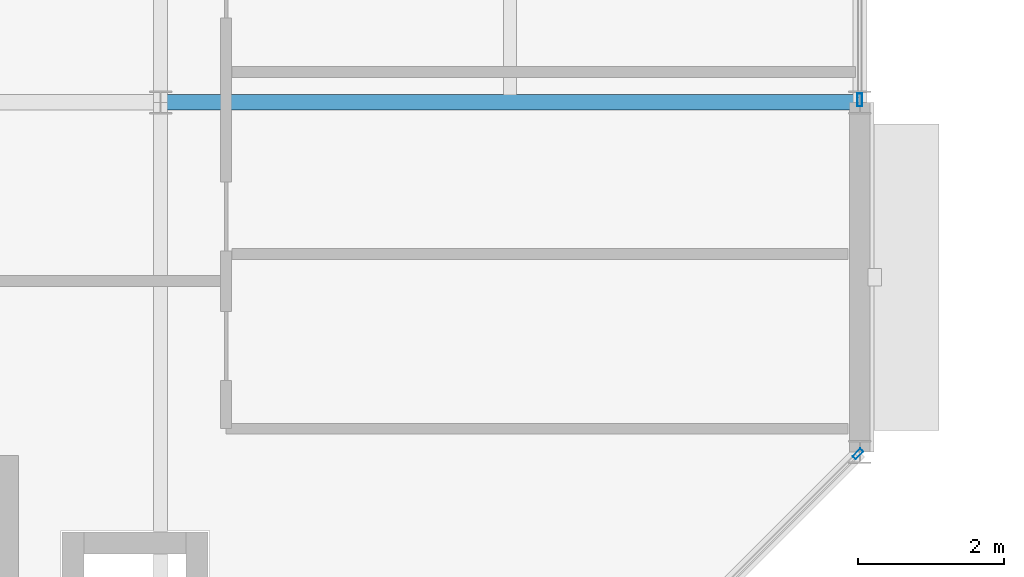
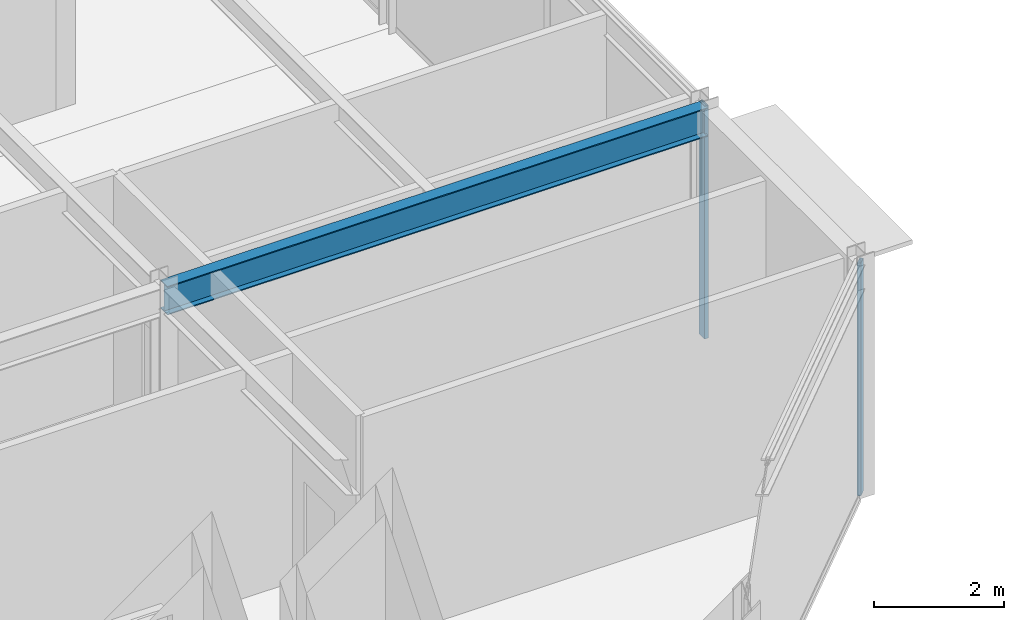
# One storey, part 24 of 89: 2 members, 1 beam, 2 elements without a shape of their own.
"""IFC4 building model written with IfcOpenShell, lengths in metres."""

from ifc_helpers import new_model, si_unit, direction, frame, origin, origin_2d, place, context, subcontext, project, spatial, hollow_rectangle, i_section, extrude, material, material_profile, profile_set, type_object, element, aggregate, save


model = new_model("IFC4")

# Units and contexts
model_context = context("Model", 3, precision=1e-05, world=origin(), true_north=direction((0.0, 1.0)))
body_context = subcontext(model_context, "Body", "Model", "MODEL_VIEW")
ifc_project = project(units=[si_unit("LENGTHUNIT", "METRE"), si_unit("AREAUNIT", "SQUARE_METRE"), si_unit("VOLUMEUNIT", "CUBIC_METRE"), si_unit("PLANEANGLEUNIT", "RADIAN"), si_unit("MASSUNIT", "GRAM", prefix="KILO")], contexts=[model_context])

# Site, building, storey
site_placement = place(None, origin())
site = spatial("IfcSite", under=ifc_project, at=site_placement, CompositionType="ELEMENT")
building_placement = place(site_placement, origin())
building = spatial("IfcBuilding", under=site, at=building_placement, Name="Almandine Court Research Institute", CompositionType="ELEMENT")
storey_placement = place(building_placement, frame((0.0, 0.0, 18.89990234375)))
storey = spatial("IfcBuildingStorey", under=building, at=storey_placement, Name="L04", CompositionType="ELEMENT", Elevation=18.89990234375)

# Beam
ifc_material_1 = material(Name="Steel ASTM A992 Grade 50", Category="steel")
ifc_material_profile_1 = material_profile(ifc_material_1, i_section(OverallWidth=0.2109375, OverallDepth=0.5390625, WebThickness=0.011962890625, FlangeThickness=0.01904296875, at=origin_2d()), Name="W530x109")
ifc_profile_set_1 = profile_set([ifc_material_profile_1], Name="Steel ASTM A992 Grade 50")
beam_type = type_object("IfcBeamType", Name="Beam-G-04", PredefinedType="BEAM", material=ifc_profile_set_1)
beam_placement = place(storey_placement, frame((25.199951171875, 93.60009765625, 4.10009765625), z_axis=(1.0, 0.0, 0.0), x_axis=(0.0, 1.0, 0.0)))
element("IfcBeam", 1, at=beam_placement, inside=storey, type_object=beam_type, Name="L04 V3 Primary X Girder", PredefinedType="BEAM", context=body_context, shape_type="SweptSolid", body=[
    extrude(i_section(OverallWidth=0.2109375, OverallDepth=0.5390625, WebThickness=0.011962890625, FlangeThickness=0.01904296875, at=origin_2d()), origin(), (0.0, 0.0, 1.0), 9.60009765625),
])

# Curtain wall, member
ifc_material_2 = material(Name="Unitised Curtain Wall Framing and Solar Glazing", Category="glass")
curtain_wall_type_1 = type_object("IfcCurtainWallType", Name="CW-CWG-08", PredefinedType="USERDEFINED", material=ifc_material_2)
curtain_wall_1_placement = place(storey_placement, origin())
curtain_wall_1 = element("IfcCurtainWall", 2, at=curtain_wall_1_placement, inside=storey, type_object=curtain_wall_type_1, Name="L04 Cleanroom SE Chamfer Glazing", ObjectType="UNITISED GLAZING", PredefinedType="USERDEFINED")
ifc_material_3 = material(Name="Anodised Aluminium AW-6063-T6", Category="aluminium")
ifc_material_profile_2 = material_profile(ifc_material_3, hollow_rectangle(XDim=0.06005859375, YDim=0.14990234375, WallThickness=0.00390625, at=origin_2d()), Name="ALU RHS 60x150x4")
ifc_profile_set_2 = profile_set([ifc_material_profile_2], Name="Anodised Aluminium AW-6063-T6")
member_type_1 = type_object("IfcMemberType", Name="CWMul-60x150", PredefinedType="MULLION", material=ifc_profile_set_2)
member_1_placement = place(storey_placement, frame((34.77490234375, 88.77490234375, 0.0), z_axis=(0.0, 0.0, 1.0), x_axis=(0.707106781187, -0.707106781187, 0.0)))
member_1 = element("IfcMember", 3, at=member_1_placement, type_object=member_type_1, Name="CWG-08 mullion 1", PredefinedType="MULLION", context=body_context, shape_type="SweptSolid", body=[
    extrude(hollow_rectangle(XDim=0.06005859375, YDim=0.14990234375, WallThickness=0.00390625, at=origin_2d()), origin(), (0.0, 0.0, 1.0), 4.3701171875),
])
aggregate(curtain_wall_1, [member_1])

curtain_wall_type_2 = type_object("IfcCurtainWallType", Name="CW-CWJ-09", PredefinedType="USERDEFINED", material=ifc_material_2)
curtain_wall_2_placement = place(storey_placement, origin())
curtain_wall_2 = element("IfcCurtainWall", 4, at=curtain_wall_2_placement, inside=storey, type_object=curtain_wall_type_2, Name="L04 Cleanroom East Courtyard Jali Screen 2", ObjectType="SOLAR JALI SCREEN", PredefinedType="USERDEFINED")
ifc_material_profile_3 = material_profile(ifc_material_3, hollow_rectangle(XDim=0.06494140625, YDim=0.179931640625, WallThickness=0.00390625, at=origin_2d()), Name="ALU RHS 65x180x4")
ifc_profile_set_3 = profile_set([ifc_material_profile_3], Name="Anodised Aluminium AW-6063-T6")
member_type_2 = type_object("IfcMemberType", Name="CWMul-65x180", PredefinedType="MULLION", material=ifc_profile_set_3)
member_2_placement = place(storey_placement, frame((34.800048828125, 93.636474609375, 0.0), z_axis=(0.0, 0.0, 1.0), x_axis=(1.0, 0.0, 0.0)))
member_2 = element("IfcMember", 5, at=member_2_placement, type_object=member_type_2, Name="CWJ-09 mullion 3", PredefinedType="MULLION", context=body_context, shape_type="SweptSolid", body=[
    extrude(hollow_rectangle(XDim=0.06494140625, YDim=0.179931640625, WallThickness=0.00390625, at=origin_2d()), origin(), (0.0, 0.0, 1.0), 4.3701171875),
])
aggregate(curtain_wall_2, [member_2])

save(model, "model.ifc")
